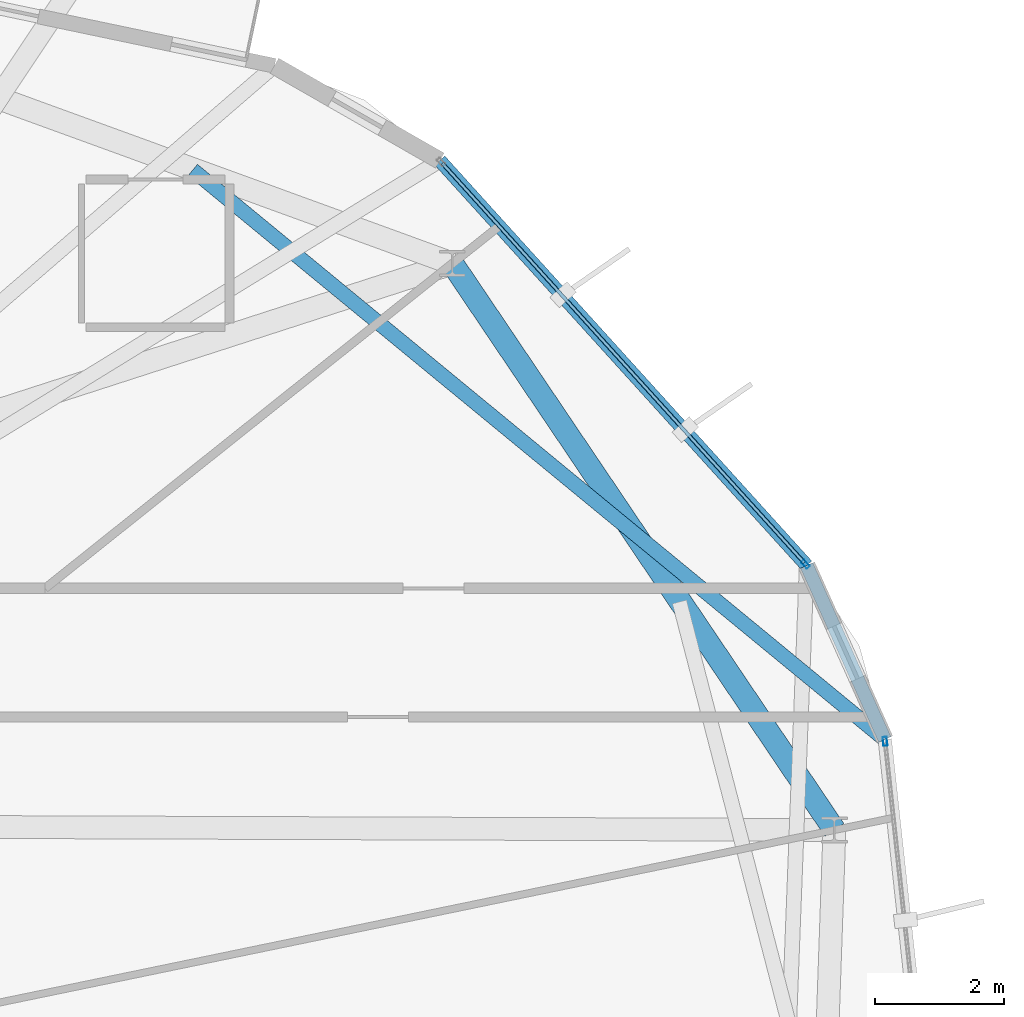
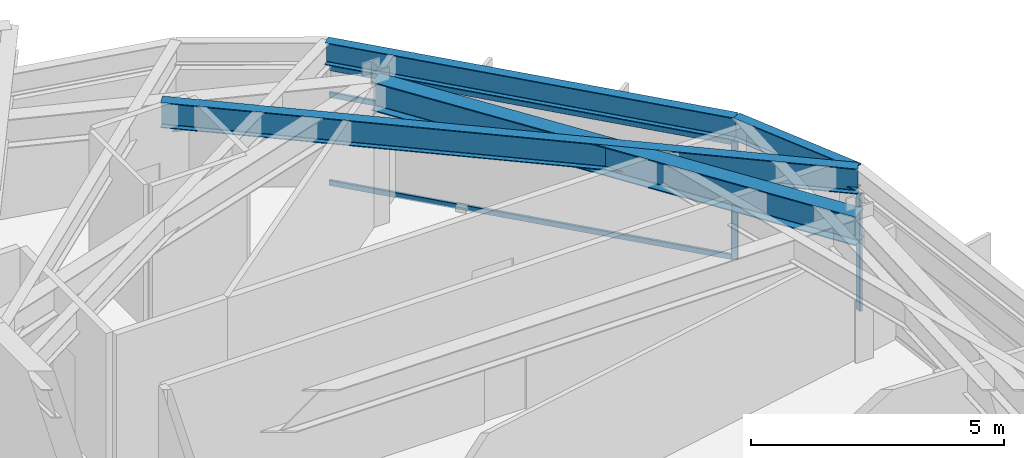
# One storey, part 12 of 23: 5 members, 4 beams, 2 elements without a shape of their own.
"""IFC4 building model written with IfcOpenShell, lengths in metres."""

import ifcopenshell
import ifcopenshell.guid

model = None  # the IFC model being written
_history = None  # IfcOwnerHistory: only IFC2X3 demands one
_inside = {}  # id of a spatial element -> (the spatial element, [elements in it])
_under = {}  # id of a project, library or spatial element -> (it, [spatial elements below it])
_declared = {}  # id of a project -> (the project, [libraries it declares])
_typed = {}  # id of a type object -> (the type object, [elements of that type])
_made_of = {}  # id of a material, layer set ... -> (it, [elements and type objects made of it])


def new_model(schema):
    """Start an empty IFC model of exactly this schema.

    Asked for "IFC4X3", IfcOpenShell would pick the latest addendum, in which some entities
    have other attributes; the version numbers below select the first issue.
    IFC2X3 requires an IfcOwnerHistory on every rooted entity: one is made here for all.
    """
    global model, _history
    if schema == "IFC4X3":
        model = ifcopenshell.file(schema_version=(4, 3, 0, 0))
    else:
        model = ifcopenshell.file(schema=schema)
    _inside.clear()
    _under.clear()
    _declared.clear()
    _typed.clear()
    _made_of.clear()
    _history = None
    if model.schema == "IFC2X3":
        org = make("IfcOrganization", Name="unknown")
        user = make(
            "IfcPersonAndOrganization",
            ThePerson=make("IfcPerson", FamilyName="unknown"),
            TheOrganization=org,
        )
        app = make(
            "IfcApplication",
            ApplicationDeveloper=org,
            Version="unknown",
            ApplicationFullName="unknown",
            ApplicationIdentifier="unknown",
        )
        _history = make(
            "IfcOwnerHistory",
            OwningUser=user,
            OwningApplication=app,
            ChangeAction="ADDED",
            CreationDate=0,
        )
    return model


def make(cls, **values):
    """One entity of the class cls with the attributes given. An attribute that is None is left unset."""
    return model.create_entity(
        cls, **{name: value for name, value in values.items() if value is not None}
    )


def rooted(cls, **values):
    """An entity with a GlobalId (a new one), such as an element, a storey or a relation."""
    return make(cls, GlobalId=ifcopenshell.guid.new(), OwnerHistory=_history, **values)


def si_unit(unit_type, name, prefix=None):
    """IfcSIUnit, for example si_unit("LENGTHUNIT", "METRE", prefix="MILLI")."""
    return make("IfcSIUnit", UnitType=unit_type, Prefix=prefix, Name=name)


def assignment(units):
    """IfcUnitAssignment: the units of a project."""
    return None if units is None else make("IfcUnitAssignment", Units=units)


def point(xyz):
    """IfcCartesianPoint."""
    return None if xyz is None else make("IfcCartesianPoint", Coordinates=xyz)


def direction(xyz):
    """IfcDirection."""
    return None if xyz is None else make("IfcDirection", DirectionRatios=xyz)


def frame(location, z_axis=None, x_axis=None):
    """IfcAxis2Placement3D, a coordinate frame: its origin and axes. An axis left out is left unset."""
    return make(
        "IfcAxis2Placement3D",
        Location=point(location),
        Axis=direction(z_axis),
        RefDirection=direction(x_axis),
    )


def frame_2d(location, x_axis=None):
    """IfcAxis2Placement2D, a coordinate frame in the plane: its origin and x axis."""
    return make(
        "IfcAxis2Placement2D", Location=point(location), RefDirection=direction(x_axis)
    )


def origin():
    """The frame at (0, 0, 0) with its axes left unset."""
    return frame((0.0, 0.0, 0.0))


def origin_2d():
    """The frame at (0, 0) in the plane with its x axis left unset."""
    return frame_2d((0.0, 0.0))


def place(relative_to, where):
    """IfcLocalPlacement: puts the frame where relative to a parent placement (None: the world)."""
    return make(
        "IfcLocalPlacement", PlacementRelTo=relative_to, RelativePlacement=where
    )


def context(
    kind, dimensions, precision=None, world=None, true_north=None, identifier=None
):
    """IfcGeometricRepresentationContext, for example the 3D "Model" context."""
    return make(
        "IfcGeometricRepresentationContext",
        ContextIdentifier=identifier,
        ContextType=kind,
        CoordinateSpaceDimension=dimensions,
        Precision=precision,
        WorldCoordinateSystem=world,
        TrueNorth=true_north,
    )


def subcontext(parent, identifier, kind, view, scale=None):
    """IfcGeometricRepresentationSubContext, for example "Body" below "Model"."""
    return make(
        "IfcGeometricRepresentationSubContext",
        ContextIdentifier=identifier,
        ContextType=kind,
        ParentContext=parent,
        TargetScale=scale,
        TargetView=view,
    )


def project(units=None, contexts=None):
    """IfcProject with its units and contexts."""
    return rooted(
        "IfcProject",
        Name="project",
        RepresentationContexts=contexts,
        UnitsInContext=assignment(units),
    )


def spatial(cls, under=None, at=None, **own):
    """A site, building, storey or space (cls), placed at a placement, below another one or the project."""
    s = rooted(cls, ObjectPlacement=at, **own)
    if under is not None:
        _under.setdefault(under.id(), (under, []))[1].append(s)
    return s


def profile(cls, at=None, kind="AREA", **sizes):
    """A parametric profile (cls). Its sizes go by their IFC names, for example OverallWidth=200.0."""
    return make(cls, ProfileType=kind, Position=at, **sizes)


def hollow_rectangle(**sizes):
    """IfcRectangleHollowProfileDef."""
    return profile("IfcRectangleHollowProfileDef", **sizes)


def i_section(**sizes):
    """IfcIShapeProfileDef."""
    return profile("IfcIShapeProfileDef", **sizes)


def extrude(swept, where, along, depth):
    """IfcExtrudedAreaSolid: the profile swept, set in the frame where, extruded along a direction by depth."""
    return make(
        "IfcExtrudedAreaSolid",
        SweptArea=swept,
        Position=where,
        ExtrudedDirection=direction(along),
        Depth=depth,
    )


def shape(context_of_items, identifier, shape_type, items):
    """IfcShapeRepresentation: the items that make up one representation, for example the "Body"."""
    return make(
        "IfcShapeRepresentation",
        ContextOfItems=context_of_items,
        RepresentationIdentifier=identifier,
        RepresentationType=shape_type,
        Items=items,
    )


def material(Name=None, Category=None):
    """IfcMaterial."""
    return make("IfcMaterial", Name=Name, Category=Category)


def layer(
    of_material, thickness, ventilated=None, Name=None, Category=None, Priority=None
):
    """IfcMaterialLayer: one layer of a wall or slab, of a material (None: an air gap)."""
    return make(
        "IfcMaterialLayer",
        Material=of_material,
        LayerThickness=thickness,
        IsVentilated=ventilated,
        Name=Name,
        Category=Category,
        Priority=Priority,
    )


def layer_set(layers, Name=None):
    """IfcMaterialLayerSet."""
    return make("IfcMaterialLayerSet", MaterialLayers=layers, LayerSetName=Name)


def material_profile(
    of_material, cross_section, Name=None, Category=None, Priority=None
):
    """IfcMaterialProfile: a cross section and its material."""
    return make(
        "IfcMaterialProfile",
        Name=Name,
        Material=of_material,
        Profile=cross_section,
        Priority=Priority,
        Category=Category,
    )


def profile_set(profiles, Name=None, composite=None):
    """IfcMaterialProfileSet."""
    return make(
        "IfcMaterialProfileSet",
        Name=Name,
        MaterialProfiles=profiles,
        CompositeProfile=composite,
    )


def made_of(thing, what):
    """Note that an element or type object is made of a material, layer set ...; save() writes the relation."""
    if what is not None:
        _made_of.setdefault(what.id(), (what, []))[1].append(thing)
    return thing


def type_object(cls, material=None, **own):
    """A type object (cls), such as IfcWallType, which elements share."""
    return made_of(rooted(cls, **own), material)


def element(
    cls,
    number,
    at=None,
    inside=None,
    cuts=None,
    type_object=None,
    material=None,
    context=None,
    identifier="Body",
    shape_type=None,
    held_by="IfcProductDefinitionShape",
    body=None,
    shapes=None,
    **own,
):
    """One element of the class cls, such as IfcWall. Its Tag is "e" and its number.

    at: its placement. inside: the storey or other place that contains it. cuts: it is an
    opening in that element (IfcRelVoidsElement). A single representation is given by context,
    identifier, shape_type and body (its items); several are given by shapes. held_by: the class
    of the entity that holds the representations. save() writes the other relations.
    """
    e = rooted(cls, Tag="e%d" % number, ObjectPlacement=at, **own)
    if body is not None:
        shapes = [shape(context, identifier, shape_type, body)]
    if shapes is not None:
        e.Representation = make(held_by, Representations=shapes)
    if inside is not None:
        _inside.setdefault(inside.id(), (inside, []))[1].append(e)
    if cuts is not None:
        rooted(
            "IfcRelVoidsElement", RelatingBuildingElement=cuts, RelatedOpeningElement=e
        )
    if type_object is not None:
        _typed.setdefault(type_object.id(), (type_object, []))[1].append(e)
    return made_of(e, material)


def aggregate(whole, parts):
    """IfcRelAggregates: a whole, such as a stair, and the parts it consists of."""
    return rooted("IfcRelAggregates", RelatingObject=whole, RelatedObjects=parts)


def save(model, path):
    """Write the relations noted so far, then the file.

    IfcRelAggregates (storeys below a building ...), IfcRelContainedInSpatialStructure (elements
    in a storey), IfcRelDefinesByType, IfcRelAssociatesMaterial and IfcRelDeclares: one each for
    every whole, place, type object, material and project.
    """
    for whole, parts in _under.values():
        aggregate(whole, parts)
    for where, things in _inside.values():
        rooted(
            "IfcRelContainedInSpatialStructure",
            RelatedElements=things,
            RelatingStructure=where,
        )
    for kind, things in _typed.values():
        rooted("IfcRelDefinesByType", RelatedObjects=things, RelatingType=kind)
    for what, things in _made_of.values():
        rooted("IfcRelAssociatesMaterial", RelatedObjects=things, RelatingMaterial=what)
    for by, libraries in _declared.values():
        rooted("IfcRelDeclares", RelatingContext=by, RelatedDefinitions=libraries)
    model.write(path)


model = new_model("IFC4")

# Units and contexts
model_context = context("Model", 3, precision=1e-05, world=origin(), true_north=direction((0.0, 1.0)))
body_context = subcontext(model_context, "Body", "Model", "MODEL_VIEW")
ifc_project = project(units=[si_unit("LENGTHUNIT", "METRE"), si_unit("AREAUNIT", "SQUARE_METRE"), si_unit("VOLUMEUNIT", "CUBIC_METRE"), si_unit("PLANEANGLEUNIT", "RADIAN"), si_unit("MASSUNIT", "GRAM", prefix="KILO")], contexts=[model_context])

# Site, building, storey
site_placement = place(None, origin())
site = spatial("IfcSite", under=ifc_project, at=site_placement, CompositionType="ELEMENT")
building_placement = place(site_placement, origin())
building = spatial("IfcBuilding", under=site, at=building_placement, Name="Soratama Intermodal Tower", CompositionType="ELEMENT")
storey_placement = place(building_placement, frame((0.0, 0.0, 253.75)))
storey = spatial("IfcBuildingStorey", under=building, at=storey_placement, Name="L64", CompositionType="ELEMENT", Elevation=253.75)

# Beams
ifc_material_1 = material(Name="Structural steel ASTM A992 Grade 50", Category="steel")
ifc_material_profile_1 = material_profile(ifc_material_1, i_section(OverallWidth=0.35498046875, OverallDepth=0.695068359375, WebThickness=0.015380859375, FlangeThickness=0.02490234375, FilletRadius=0.01611328125, at=origin_2d()), Name="W27X146")
ifc_profile_set_1 = profile_set([ifc_material_profile_1], Name="Structural steel ASTM A992 Grade 50")
beam_type_1 = type_object("IfcBeamType", Name="BM-RING-W27X146", PredefinedType="BEAM", material=ifc_profile_set_1)
beam_1_placement = place(storey_placement, frame((61.533935546875, 29.740966796875, 3.1025390625), z_axis=(-0.559218025165, 0.829020627204, 0.0), x_axis=(-0.829020627204, -0.559218025165, 0.0)))
element("IfcBeam", 1, at=beam_1_placement, inside=storey, type_object=beam_type_1, Name="BM-L64-RING-01", PredefinedType="BEAM", context=body_context, shape_type="SweptSolid", body=[
    extrude(i_section(OverallWidth=0.35498046875, OverallDepth=0.695068359375, WebThickness=0.015380859375, FlangeThickness=0.02490234375, FilletRadius=0.01611328125, at=origin_2d()), origin(), (0.0, 0.0, 1.0), 10.630615234375),
])
ifc_material_2 = material(Name="Structural steel ASTM A992 Grade 50", Category="steel")
ifc_material_profile_2 = material_profile(ifc_material_2, i_section(OverallWidth=0.2099609375, OverallDepth=0.537109375, WebThickness=0.010986328125, FlangeThickness=0.017333984375, FilletRadius=0.012939453125, at=origin_2d()), Name="W21X68")
ifc_profile_set_2 = profile_set([ifc_material_profile_2], Name="Structural steel ASTM A992 Grade 50")
beam_type_2 = type_object("IfcBeamType", Name="BM-SPN-W21X68", PredefinedType="SPANDREL", material=ifc_profile_set_2)
beam_2_placement = place(storey_placement, frame((62.318115234375, 31.14990234375, 3.181396484375), z_axis=(-0.409625349498, 0.912253842441, 0.0), x_axis=(-0.912253842441, -0.409625349498, 0.0)))
element("IfcBeam", 2, at=beam_2_placement, inside=storey, type_object=beam_type_2, Name="BS-L64-CRN09", PredefinedType="SPANDREL", context=body_context, shape_type="SweptSolid", body=[
    extrude(i_section(OverallWidth=0.2099609375, OverallDepth=0.537109375, WebThickness=0.010986328125, FlangeThickness=0.017333984375, FilletRadius=0.012939453125, at=origin_2d()), origin(), (0.0, 0.0, 1.0), 2.96630859375),
])
beam_3_placement = place(storey_placement, frame((61.10302734375, 33.85595703125, 3.181396484375), z_axis=(-0.671422331557, 0.741074930548, 0.0), x_axis=(-0.741074930548, -0.671422331557, 0.0)))
element("IfcBeam", 3, at=beam_3_placement, inside=storey, type_object=beam_type_2, Name="BS-L64-F10", PredefinedType="SPANDREL", context=body_context, shape_type="SweptSolid", body=[
    extrude(i_section(OverallWidth=0.2099609375, OverallDepth=0.537109375, WebThickness=0.010986328125, FlangeThickness=0.017333984375, FilletRadius=0.012939453125, at=origin_2d()), origin(), (0.0, 0.0, 1.0), 8.5),
])
ifc_material_3 = material(Name="Structural steel ASTM A992 Grade 50", Category="steel")
ifc_material_profile_3 = material_profile(ifc_material_3, i_section(OverallWidth=0.22900390625, OverallDepth=0.612060546875, WebThickness=0.011962890625, FlangeThickness=0.01953125, FilletRadius=0.012939453125, at=origin_2d()), Name="W24X84")
ifc_profile_set_3 = profile_set([ifc_material_profile_3], Name="Structural steel ASTM A992 Grade 50")
beam_type_3 = type_object("IfcBeamType", Name="BM-TIE-W24X84", PredefinedType="BEAM", material=ifc_profile_set_3)
beam_4_placement = place(storey_placement, frame((51.552001953125, 40.009033203125, 3.14404296875), z_axis=(0.772179367405, -0.635404614836, 0.0), x_axis=(0.635404614836, 0.772179367405, 0.0)))
element("IfcBeam", 4, at=beam_4_placement, inside=storey, type_object=beam_type_3, Name="BM-L64-TIE1-09", PredefinedType="BEAM", context=body_context, shape_type="SweptSolid", body=[
    extrude(i_section(OverallWidth=0.22900390625, OverallDepth=0.612060546875, WebThickness=0.011962890625, FlangeThickness=0.01953125, FilletRadius=0.012939453125, at=origin_2d()), origin(), (0.0, 0.0, 1.0), 13.9423828125),
])

# Curtain wall, member
ifc_material_4 = material(Name="Double-glazed aluminium curtain wall", Category="aluminium")
ifc_layer = layer(ifc_material_4, 0.159912109375)
ifc_layer_set = layer_set([ifc_layer], Name="Double-glazed aluminium curtain wall")
curtain_wall_type = type_object("IfcCurtainWallType", Name="CW-SYS-5", PredefinedType="NOTDEFINED", material=ifc_layer_set)
curtain_wall_1_placement = place(storey_placement, origin())
curtain_wall_1 = element("IfcCurtainWall", 5, at=curtain_wall_1_placement, inside=storey, type_object=curtain_wall_type, Name="L64 Faceted Curtain Wall F09", PredefinedType="NOTDEFINED")
ifc_material_5 = material(Name="Anodised aluminium AA 6063-T6", Category="aluminium")
ifc_material_profile_4 = material_profile(ifc_material_5, hollow_rectangle(XDim=0.06494140625, YDim=0.139892578125, WallThickness=0.0048828125, InnerFilletRadius=0.0048828125, OuterFilletRadius=0.010009765625, at=origin_2d()), Name="CWM140X65X5")
ifc_profile_set_4 = profile_set([ifc_material_profile_4], Name="Anodised aluminium AA 6063-T6")
member_type_1 = type_object("IfcMemberType", Name="MT-CWM-5", PredefinedType="MULLION", material=ifc_profile_set_4)
member_1_placement = place(storey_placement, frame((62.321533203125, 31.1201171875, 0.0), z_axis=(0.0, 0.0, 1.0), x_axis=(-0.994187629774, -0.107661305973, 0.0)))
member_1 = element("IfcMember", 6, at=member_1_placement, type_object=member_type_1, Name="CW-5 mullion 2", PredefinedType="MULLION", context=body_context, shape_type="SweptSolid", body=[
    extrude(hollow_rectangle(XDim=0.06494140625, YDim=0.139892578125, WallThickness=0.0048828125, InnerFilletRadius=0.0048828125, OuterFilletRadius=0.010009765625, at=origin_2d()), origin(), (0.0, 0.0, 1.0), 2.8291015625),
])
aggregate(curtain_wall_1, [member_1])

# Curtain wall, members
curtain_wall_2_placement = place(storey_placement, origin())
curtain_wall_2 = element("IfcCurtainWall", 7, at=curtain_wall_2_placement, inside=storey, type_object=curtain_wall_type, Name="L64 Faceted Curtain Wall F10", PredefinedType="NOTDEFINED")
member_2_placement = place(storey_placement, frame((61.083251953125, 33.87841796875, 0.0), z_axis=(0.0, 0.0, 1.0), x_axis=(-0.741039453057, -0.671461487364, 0.0)))
member_2 = element("IfcMember", 8, at=member_2_placement, type_object=member_type_1, Name="CW-5 mullion 1", PredefinedType="MULLION", context=body_context, shape_type="SweptSolid", body=[
    extrude(hollow_rectangle(XDim=0.06494140625, YDim=0.139892578125, WallThickness=0.0048828125, InnerFilletRadius=0.0048828125, OuterFilletRadius=0.010009765625, at=origin_2d()), origin(), (0.0, 0.0, 1.0), 2.8291015625),
])
ifc_material_6 = material(Name="Anodised aluminium AA 6063-T6", Category="aluminium")
ifc_material_profile_5 = material_profile(ifc_material_6, hollow_rectangle(XDim=0.06005859375, YDim=0.1298828125, WallThickness=0.0048828125, InnerFilletRadius=0.0048828125, OuterFilletRadius=0.010009765625, at=origin_2d()), Name="CWT130X60X5")
ifc_profile_set_5 = profile_set([ifc_material_profile_5], Name="Anodised aluminium AA 6063-T6")
member_type_2 = type_object("IfcMemberType", Name="TT-CWT-2", PredefinedType="USERDEFINED", material=ifc_profile_set_5)
member_3_placement = place(storey_placement, frame((61.06298828125, 33.90087890625, 0.030029296875), z_axis=(-0.671463934429, 0.741037235745, 0.0), x_axis=(-0.741037235745, -0.671463934429, 0.0)))
member_3 = element("IfcMember", 9, at=member_3_placement, type_object=member_type_2, Name="CW-5 transom 1.1", ObjectType="TRANSOM", PredefinedType="USERDEFINED", context=body_context, shape_type="SweptSolid", body=[
    extrude(hollow_rectangle(XDim=0.06005859375, YDim=0.1298828125, WallThickness=0.0048828125, InnerFilletRadius=0.0048828125, OuterFilletRadius=0.010009765625, at=origin_2d()), origin(), (0.0, 0.0, 1.0), 8.3798828125),
])
member_4_placement = place(storey_placement, frame((61.06298828125, 33.90087890625, 2.14990234375), z_axis=(-0.671463934429, 0.741037235745, 0.0), x_axis=(-0.741037235745, -0.671463934429, 0.0)))
member_4 = element("IfcMember", 10, at=member_4_placement, type_object=member_type_2, Name="CW-5 transom 1.2", ObjectType="TRANSOM", PredefinedType="USERDEFINED", context=body_context, shape_type="SweptSolid", body=[
    extrude(hollow_rectangle(XDim=0.06005859375, YDim=0.1298828125, WallThickness=0.0048828125, InnerFilletRadius=0.0048828125, OuterFilletRadius=0.010009765625, at=origin_2d()), origin(), (0.0, 0.0, 1.0), 8.3798828125),
])
member_5_placement = place(storey_placement, frame((61.06298828125, 33.90087890625, 2.799072265625), z_axis=(-0.671463934429, 0.741037235745, 0.0), x_axis=(-0.741037235745, -0.671463934429, 0.0)))
member_5 = element("IfcMember", 11, at=member_5_placement, type_object=member_type_2, Name="CW-5 transom 1.3", ObjectType="TRANSOM", PredefinedType="USERDEFINED", context=body_context, shape_type="SweptSolid", body=[
    extrude(hollow_rectangle(XDim=0.06005859375, YDim=0.1298828125, WallThickness=0.0048828125, InnerFilletRadius=0.0048828125, OuterFilletRadius=0.010009765625, at=origin_2d()), origin(), (0.0, 0.0, 1.0), 8.3798828125),
])
aggregate(curtain_wall_2, [member_2, member_3, member_4, member_5])

save(model, "model.ifc")
